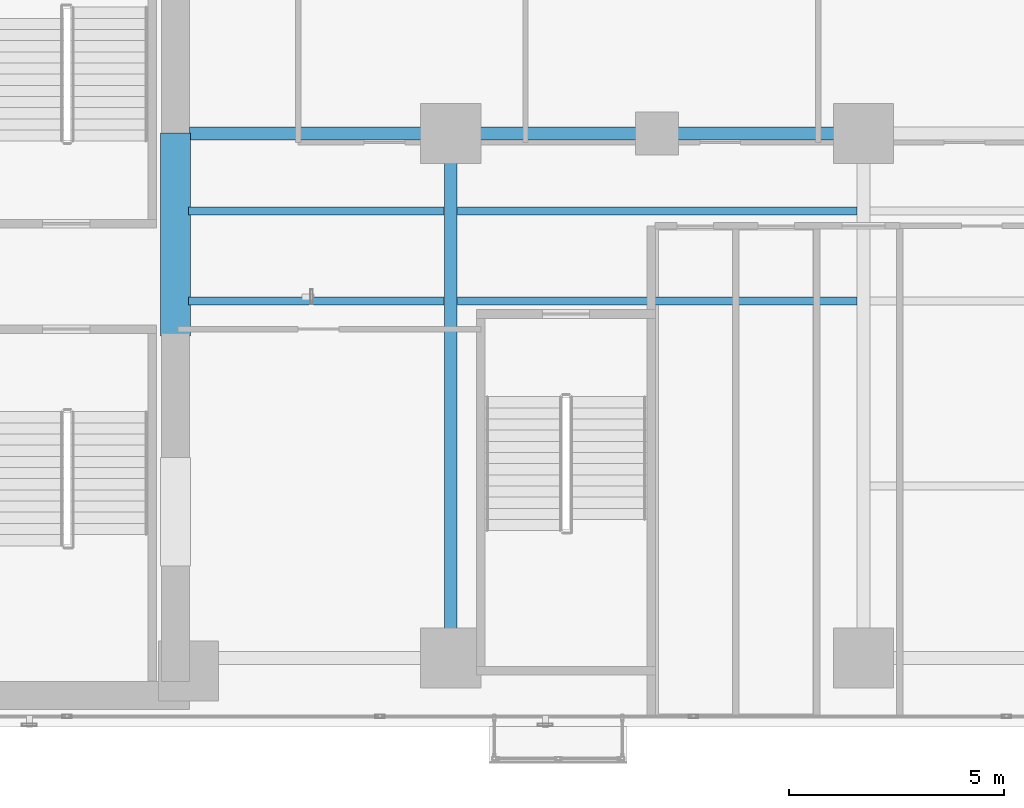
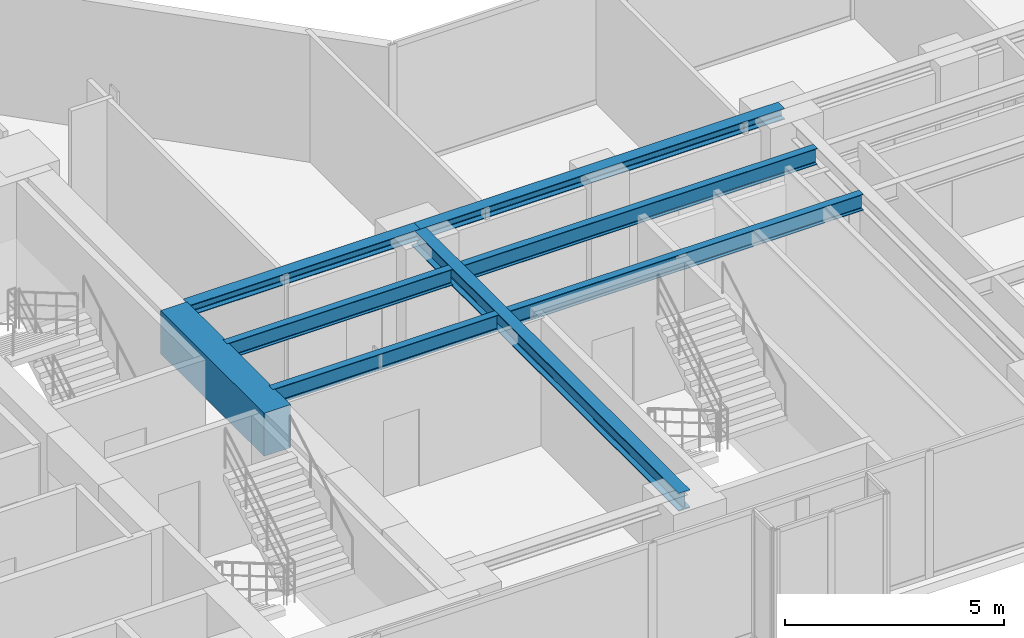
# One storey, part 5 of 26: 8 beams.
"""IFC4 building model written with IfcOpenShell, lengths in metres."""

from ifc_helpers import new_model, si_unit, direction, frame, origin, origin_2d, place, context, subcontext, project, spatial, rectangle, i_section, extrude, material, material_profile, profile_set, type_object, element, save


model = new_model("IFC4")

# Units and contexts
model_context = context("Model", 3, precision=1e-05, world=origin(), true_north=direction((0.0, 1.0)))
body_context = subcontext(model_context, "Body", "Model", "MODEL_VIEW")
ifc_project = project(units=[si_unit("LENGTHUNIT", "METRE"), si_unit("AREAUNIT", "SQUARE_METRE"), si_unit("VOLUMEUNIT", "CUBIC_METRE"), si_unit("PLANEANGLEUNIT", "RADIAN"), si_unit("MASSUNIT", "GRAM", prefix="KILO")], contexts=[model_context])

# Site, building, storey
site_placement = place(None, origin())
site = spatial("IfcSite", under=ifc_project, at=site_placement, CompositionType="ELEMENT")
building_placement = place(site_placement, origin())
building = spatial("IfcBuilding", under=site, at=building_placement, Name="Kolvaren Waterfront Exchange", CompositionType="ELEMENT")
storey_placement = place(building_placement, frame((0.0, 0.0, 125.89990234375)))
storey = spatial("IfcBuildingStorey", under=building, at=storey_placement, Name="L32", CompositionType="ELEMENT", Elevation=125.89990234375)

# Beams
ifc_material_1 = material(Name="Steel S355", Category="steel")
ifc_material_profile_1 = material_profile(ifc_material_1, i_section(OverallWidth=0.300048828125, OverallDepth=0.300048828125, WebThickness=0.010986328125, FlangeThickness=0.01904296875, FilletRadius=0.027099609375, at=origin_2d()), Name="HEB300")
ifc_profile_set_1 = profile_set([ifc_material_profile_1], Name="Steel S355")
beam_type_1 = type_object("IfcBeamType", Name="STR-BM-HEB300", PredefinedType="SPANDREL", material=ifc_profile_set_1)
beam_1_placement = place(storey_placement, frame((21.125, 17.39990234375, 3.39013671875), z_axis=(1.0, 0.0, 0.0), x_axis=(0.0, 1.0, 0.0)))
element("IfcBeam", 1, at=beam_1_placement, inside=storey, type_object=beam_type_1, Name="L32 east-arm spandrel N1", PredefinedType="SPANDREL", context=body_context, shape_type="SweptSolid", body=[
    extrude(i_section(OverallWidth=0.300048828125, OverallDepth=0.300048828125, WebThickness=0.010986328125, FlangeThickness=0.01904296875, FilletRadius=0.027099609375, at=origin_2d()), origin(), (0.0, 0.0, 1.0), 6.074951171875),
])
beam_2_placement = place(storey_placement, frame((27.199951171875, 17.39990234375, 3.39013671875), z_axis=(1.0, 0.0, 0.0), x_axis=(0.0, 1.0, 0.0)))
element("IfcBeam", 2, at=beam_2_placement, inside=storey, type_object=beam_type_1, Name="L32 east-arm spandrel N2", PredefinedType="SPANDREL", context=body_context, shape_type="SweptSolid", body=[
    extrude(i_section(OverallWidth=0.300048828125, OverallDepth=0.300048828125, WebThickness=0.010986328125, FlangeThickness=0.01904296875, FilletRadius=0.027099609375, at=origin_2d()), origin(), (0.0, 0.0, 1.0), 9.60009765625),
])
ifc_material_profile_2 = material_profile(ifc_material_1, i_section(OverallWidth=0.300048828125, OverallDepth=0.5, WebThickness=0.014404296875, FlangeThickness=0.028076171875, FilletRadius=0.027099609375, at=origin_2d()), Name="HEB500")
ifc_profile_set_2 = profile_set([ifc_material_profile_2], Name="Steel S355")
beam_type_2 = type_object("IfcBeamType", Name="STR-BM-HEB500", PredefinedType="BEAM", material=ifc_profile_set_2)
beam_3_placement = place(storey_placement, frame((27.199951171875, 5.199951171875, 3.2900390625), z_axis=(0.0, 1.0, 0.0), x_axis=(-1.0, 0.0, 0.0)))
element("IfcBeam", 3, at=beam_3_placement, inside=storey, type_object=beam_type_2, Name="L32 east-arm transverse girder X27", PredefinedType="BEAM", context=body_context, shape_type="SweptSolid", body=[
    extrude(i_section(OverallWidth=0.300048828125, OverallDepth=0.5, WebThickness=0.014404296875, FlangeThickness=0.028076171875, FilletRadius=0.027099609375, at=origin_2d()), origin(), (0.0, 0.0, 1.0), 12.199951171875),
])
ifc_material_profile_3 = material_profile(ifc_material_1, i_section(OverallWidth=0.18994140625, OverallDepth=0.449951171875, WebThickness=0.009521484375, FlangeThickness=0.0146484375, FilletRadius=0.02099609375, at=origin_2d()), Name="IPE450")
ifc_profile_set_3 = profile_set([ifc_material_profile_3], Name="Steel S355")
beam_type_3 = type_object("IfcBeamType", Name="STR-BM-IPE450", PredefinedType="JOIST", material=ifc_profile_set_3)
for number, where, z_axis, x_axis, name in (
    (4, (21.10009765625, 13.5, 3.315185546875), (1.0, 0.0, 0.0), (0.0, 1.0, 0.0), "L32 east-arm composite joist 1A"),
    (5, (21.10009765625, 15.60009765625, 3.315185546875), (1.0, 0.0, 0.0), (0.0, 1.0, 0.0), "L32 east-arm composite joist 1C"),
):
    element("IfcBeam", number, at=place(storey_placement, frame(where, z_axis=z_axis, x_axis=x_axis)), inside=storey, type_object=beam_type_3, Name=name, PredefinedType="JOIST", context=body_context, shape_type="SweptSolid", body=[
        extrude(i_section(OverallWidth=0.18994140625, OverallDepth=0.449951171875, WebThickness=0.009521484375, FlangeThickness=0.0146484375, FilletRadius=0.02099609375, at=origin_2d()), origin(), (0.0, 0.0, 1.0), 5.947998046875),
    ])
for number, where, z_axis, x_axis, name in (
    (6, (27.35205078125, 13.5, 3.315185546875), (1.0, 0.0, 0.0), (0.0, 1.0, 0.0), "L32 east-arm composite joist 2A"),
    (7, (27.35205078125, 15.60009765625, 3.315185546875), (1.0, 0.0, 0.0), (0.0, 1.0, 0.0), "L32 east-arm composite joist 2C"),
):
    element("IfcBeam", number, at=place(storey_placement, frame(where, z_axis=z_axis, x_axis=x_axis)), inside=storey, type_object=beam_type_3, Name=name, PredefinedType="JOIST", context=body_context, shape_type="SweptSolid", body=[
        extrude(i_section(OverallWidth=0.18994140625, OverallDepth=0.449951171875, WebThickness=0.009521484375, FlangeThickness=0.0146484375, FilletRadius=0.02099609375, at=origin_2d()), origin(), (0.0, 0.0, 1.0), 9.2958984375),
    ])
ifc_material_2 = material(Name="Concrete C70/85", Category="concrete")
ifc_material_profile_4 = material_profile(ifc_material_2, rectangle(XDim=0.699951171875, YDim=1.199951171875, at=origin_2d()), Name="RC-CB-1200x700")
ifc_profile_set_4 = profile_set([ifc_material_profile_4], Name="Concrete C70/85")
beam_type_4 = type_object("IfcBeamType", Name="STR-CB-1200", PredefinedType="SPANDREL", material=ifc_profile_set_4)
beam_4_placement = place(storey_placement, frame((20.800048828125, 12.68994140625, 2.940185546875), z_axis=(0.0, 1.0, 0.0), x_axis=(-1.0, 0.0, 0.0)))
element("IfcBeam", 8, at=beam_4_placement, inside=storey, type_object=beam_type_4, Name="L32 core coupling beam 2", PredefinedType="SPANDREL", context=body_context, shape_type="SweptSolid", body=[
    extrude(rectangle(XDim=0.699951171875, YDim=1.199951171875, at=origin_2d()), origin(), (0.0, 0.0, 1.0), 4.719970703125),
])

save(model, "model.ifc")
